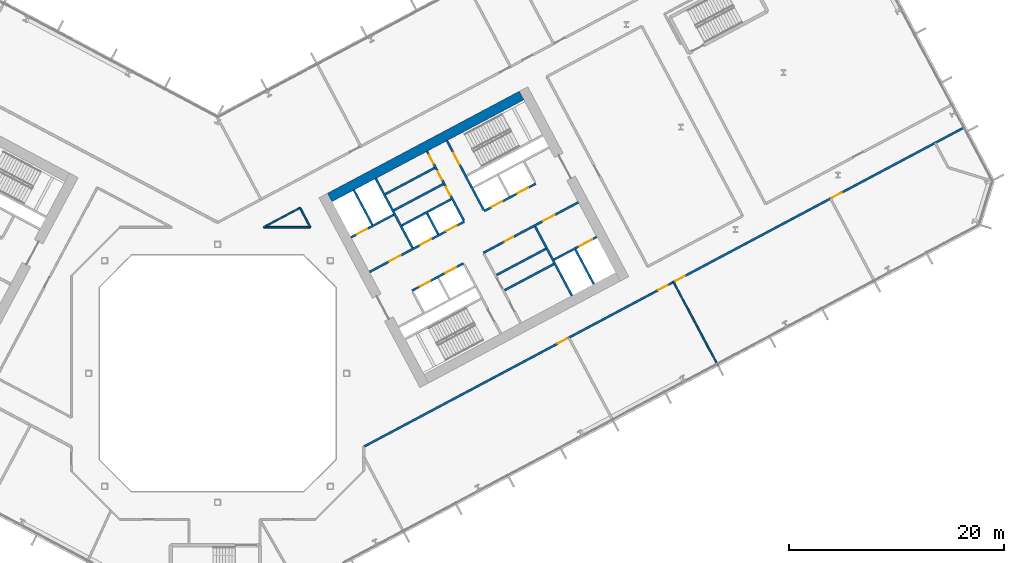
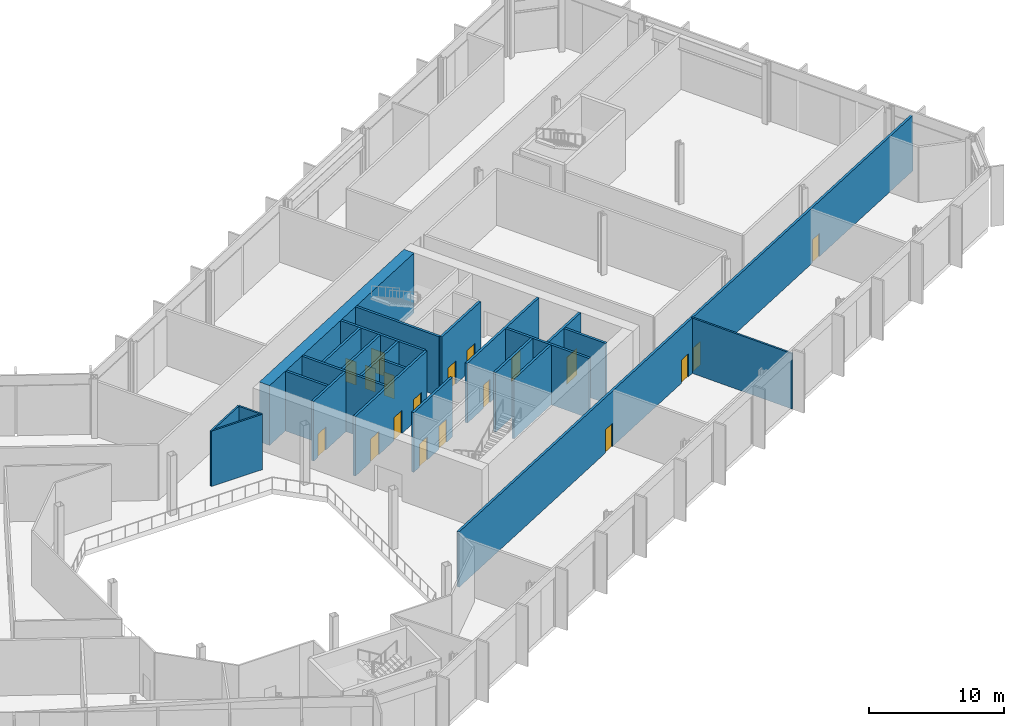
# One storey, part 16 of 32: 24 walls, 19 doors, 19 openings.
"""IFC4 building model written with IfcOpenShell, lengths in metres."""

import ifcopenshell
import ifcopenshell.guid

model = None  # the IFC model being written
_history = None  # IfcOwnerHistory: only IFC2X3 demands one
_inside = {}  # id of a spatial element -> (the spatial element, [elements in it])
_under = {}  # id of a project, library or spatial element -> (it, [spatial elements below it])
_declared = {}  # id of a project -> (the project, [libraries it declares])
_typed = {}  # id of a type object -> (the type object, [elements of that type])
_made_of = {}  # id of a material, layer set ... -> (it, [elements and type objects made of it])


def new_model(schema):
    """Start an empty IFC model of exactly this schema.

    Asked for "IFC4X3", IfcOpenShell would pick the latest addendum, in which some entities
    have other attributes; the version numbers below select the first issue.
    IFC2X3 requires an IfcOwnerHistory on every rooted entity: one is made here for all.
    """
    global model, _history
    if schema == "IFC4X3":
        model = ifcopenshell.file(schema_version=(4, 3, 0, 0))
    else:
        model = ifcopenshell.file(schema=schema)
    _inside.clear()
    _under.clear()
    _declared.clear()
    _typed.clear()
    _made_of.clear()
    _history = None
    if model.schema == "IFC2X3":
        org = make("IfcOrganization", Name="unknown")
        user = make(
            "IfcPersonAndOrganization",
            ThePerson=make("IfcPerson", FamilyName="unknown"),
            TheOrganization=org,
        )
        app = make(
            "IfcApplication",
            ApplicationDeveloper=org,
            Version="unknown",
            ApplicationFullName="unknown",
            ApplicationIdentifier="unknown",
        )
        _history = make(
            "IfcOwnerHistory",
            OwningUser=user,
            OwningApplication=app,
            ChangeAction="ADDED",
            CreationDate=0,
        )
    return model


def make(cls, **values):
    """One entity of the class cls with the attributes given. An attribute that is None is left unset."""
    return model.create_entity(
        cls, **{name: value for name, value in values.items() if value is not None}
    )


def rooted(cls, **values):
    """An entity with a GlobalId (a new one), such as an element, a storey or a relation."""
    return make(cls, GlobalId=ifcopenshell.guid.new(), OwnerHistory=_history, **values)


def si_unit(unit_type, name, prefix=None):
    """IfcSIUnit, for example si_unit("LENGTHUNIT", "METRE", prefix="MILLI")."""
    return make("IfcSIUnit", UnitType=unit_type, Prefix=prefix, Name=name)


def assignment(units):
    """IfcUnitAssignment: the units of a project."""
    return None if units is None else make("IfcUnitAssignment", Units=units)


def point(xyz):
    """IfcCartesianPoint."""
    return None if xyz is None else make("IfcCartesianPoint", Coordinates=xyz)


def direction(xyz):
    """IfcDirection."""
    return None if xyz is None else make("IfcDirection", DirectionRatios=xyz)


def frame(location, z_axis=None, x_axis=None):
    """IfcAxis2Placement3D, a coordinate frame: its origin and axes. An axis left out is left unset."""
    return make(
        "IfcAxis2Placement3D",
        Location=point(location),
        Axis=direction(z_axis),
        RefDirection=direction(x_axis),
    )


def frame_2d(location, x_axis=None):
    """IfcAxis2Placement2D, a coordinate frame in the plane: its origin and x axis."""
    return make(
        "IfcAxis2Placement2D", Location=point(location), RefDirection=direction(x_axis)
    )


def origin():
    """The frame at (0, 0, 0) with its axes left unset."""
    return frame((0.0, 0.0, 0.0))


def place(relative_to, where):
    """IfcLocalPlacement: puts the frame where relative to a parent placement (None: the world)."""
    return make(
        "IfcLocalPlacement", PlacementRelTo=relative_to, RelativePlacement=where
    )


def context(
    kind, dimensions, precision=None, world=None, true_north=None, identifier=None
):
    """IfcGeometricRepresentationContext, for example the 3D "Model" context."""
    return make(
        "IfcGeometricRepresentationContext",
        ContextIdentifier=identifier,
        ContextType=kind,
        CoordinateSpaceDimension=dimensions,
        Precision=precision,
        WorldCoordinateSystem=world,
        TrueNorth=true_north,
    )


def subcontext(parent, identifier, kind, view, scale=None):
    """IfcGeometricRepresentationSubContext, for example "Body" below "Model"."""
    return make(
        "IfcGeometricRepresentationSubContext",
        ContextIdentifier=identifier,
        ContextType=kind,
        ParentContext=parent,
        TargetScale=scale,
        TargetView=view,
    )


def project(units=None, contexts=None):
    """IfcProject with its units and contexts."""
    return rooted(
        "IfcProject",
        Name="project",
        RepresentationContexts=contexts,
        UnitsInContext=assignment(units),
    )


def spatial(cls, under=None, at=None, **own):
    """A site, building, storey or space (cls), placed at a placement, below another one or the project."""
    s = rooted(cls, ObjectPlacement=at, **own)
    if under is not None:
        _under.setdefault(under.id(), (under, []))[1].append(s)
    return s


def profile(cls, at=None, kind="AREA", **sizes):
    """A parametric profile (cls). Its sizes go by their IFC names, for example OverallWidth=200.0."""
    return make(cls, ProfileType=kind, Position=at, **sizes)


def rectangle(**sizes):
    """IfcRectangleProfileDef."""
    return profile("IfcRectangleProfileDef", **sizes)


def extrude(swept, where, along, depth):
    """IfcExtrudedAreaSolid: the profile swept, set in the frame where, extruded along a direction by depth."""
    return make(
        "IfcExtrudedAreaSolid",
        SweptArea=swept,
        Position=where,
        ExtrudedDirection=direction(along),
        Depth=depth,
    )


def shape(context_of_items, identifier, shape_type, items):
    """IfcShapeRepresentation: the items that make up one representation, for example the "Body"."""
    return make(
        "IfcShapeRepresentation",
        ContextOfItems=context_of_items,
        RepresentationIdentifier=identifier,
        RepresentationType=shape_type,
        Items=items,
    )


def material(Name=None, Category=None):
    """IfcMaterial."""
    return make("IfcMaterial", Name=Name, Category=Category)


def layer(
    of_material, thickness, ventilated=None, Name=None, Category=None, Priority=None
):
    """IfcMaterialLayer: one layer of a wall or slab, of a material (None: an air gap)."""
    return make(
        "IfcMaterialLayer",
        Material=of_material,
        LayerThickness=thickness,
        IsVentilated=ventilated,
        Name=Name,
        Category=Category,
        Priority=Priority,
    )


def layer_set(layers, Name=None):
    """IfcMaterialLayerSet."""
    return make("IfcMaterialLayerSet", MaterialLayers=layers, LayerSetName=Name)


def made_of(thing, what):
    """Note that an element or type object is made of a material, layer set ...; save() writes the relation."""
    if what is not None:
        _made_of.setdefault(what.id(), (what, []))[1].append(thing)
    return thing


def type_object(cls, material=None, **own):
    """A type object (cls), such as IfcWallType, which elements share."""
    return made_of(rooted(cls, **own), material)


def element(
    cls,
    number,
    at=None,
    inside=None,
    cuts=None,
    type_object=None,
    material=None,
    context=None,
    identifier="Body",
    shape_type=None,
    held_by="IfcProductDefinitionShape",
    body=None,
    shapes=None,
    **own,
):
    """One element of the class cls, such as IfcWall. Its Tag is "e" and its number.

    at: its placement. inside: the storey or other place that contains it. cuts: it is an
    opening in that element (IfcRelVoidsElement). A single representation is given by context,
    identifier, shape_type and body (its items); several are given by shapes. held_by: the class
    of the entity that holds the representations. save() writes the other relations.
    """
    e = rooted(cls, Tag="e%d" % number, ObjectPlacement=at, **own)
    if body is not None:
        shapes = [shape(context, identifier, shape_type, body)]
    if shapes is not None:
        e.Representation = make(held_by, Representations=shapes)
    if inside is not None:
        _inside.setdefault(inside.id(), (inside, []))[1].append(e)
    if cuts is not None:
        rooted(
            "IfcRelVoidsElement", RelatingBuildingElement=cuts, RelatedOpeningElement=e
        )
    if type_object is not None:
        _typed.setdefault(type_object.id(), (type_object, []))[1].append(e)
    return made_of(e, material)


def fill(opening, filler):
    """IfcRelFillsElement: the door or window that sits in an opening."""
    return rooted(
        "IfcRelFillsElement",
        RelatingOpeningElement=opening,
        RelatedBuildingElement=filler,
    )


def aggregate(whole, parts):
    """IfcRelAggregates: a whole, such as a stair, and the parts it consists of."""
    return rooted("IfcRelAggregates", RelatingObject=whole, RelatedObjects=parts)


def save(model, path):
    """Write the relations noted so far, then the file.

    IfcRelAggregates (storeys below a building ...), IfcRelContainedInSpatialStructure (elements
    in a storey), IfcRelDefinesByType, IfcRelAssociatesMaterial and IfcRelDeclares: one each for
    every whole, place, type object, material and project.
    """
    for whole, parts in _under.values():
        aggregate(whole, parts)
    for where, things in _inside.values():
        rooted(
            "IfcRelContainedInSpatialStructure",
            RelatedElements=things,
            RelatingStructure=where,
        )
    for kind, things in _typed.values():
        rooted("IfcRelDefinesByType", RelatedObjects=things, RelatingType=kind)
    for what, things in _made_of.values():
        rooted("IfcRelAssociatesMaterial", RelatedObjects=things, RelatingMaterial=what)
    for by, libraries in _declared.values():
        rooted("IfcRelDeclares", RelatingContext=by, RelatedDefinitions=libraries)
    model.write(path)


model = new_model("IFC4")

# Units and contexts
model_context = context("Model", 3, precision=1e-05, world=origin(), true_north=direction((0.0, 1.0)))
body_context = subcontext(model_context, "Body", "Model", "MODEL_VIEW")
ifc_project = project(units=[si_unit("LENGTHUNIT", "METRE"), si_unit("AREAUNIT", "SQUARE_METRE"), si_unit("VOLUMEUNIT", "CUBIC_METRE"), si_unit("PLANEANGLEUNIT", "RADIAN"), si_unit("MASSUNIT", "GRAM", prefix="KILO")], contexts=[model_context])

# Site, building, storey
site_placement = place(None, origin())
site = spatial("IfcSite", under=ifc_project, at=site_placement, CompositionType="ELEMENT")
building_placement = place(site_placement, origin())
building = spatial("IfcBuilding", under=site, at=building_placement, Name="Cormorant Relay Tower", CompositionType="ELEMENT")
storey_placement = place(building_placement, frame((0.0, 0.0, 60.800048828125)))
storey = spatial("IfcBuildingStorey", under=building, at=storey_placement, Name="L11", CompositionType="ELEMENT", Elevation=60.800048828125)

# Walls
ifc_material_1 = material(Name="Concrete 40 MPa", Category="concrete")
ifc_layer_1 = layer(ifc_material_1, 0.199951171875)
ifc_layer_set_1 = layer_set([ifc_layer_1], Name="Core internal wall 200")
wall_type_1 = type_object("IfcWallType", Name="Core internal wall 200", PredefinedType="SOLIDWALL", material=ifc_layer_set_1)
wall_1_placement = place(storey_placement, frame((20.522216796875, 12.950439453125, 0.0), z_axis=(0.0, 0.0, 1.0), x_axis=(-0.469401318492, 0.882984938828, 0.0)))
element("IfcWall", 1, at=wall_1_placement, inside=storey, type_object=wall_type_1, Name="L11 core B shaft and room wall", PredefinedType="SOLIDWALL", context=body_context, shape_type="SweptSolid", body=[
    extrude(rectangle(XDim=2.199951171875, YDim=0.199951171875, at=frame_2d((1.10009765625, 0.0))), origin(), (0.0, 0.0, 1.0), 5.39990234375),
])
for number, where, z_axis, x_axis, name in (
    (2, (26.692138671875, 7.73681640625, 0.0), (0.0, 0.0, 1.0), (0.882953967957, 0.469459572775, 0.0), "L11 core B shaft and room wall"),
    (3, (16.395751953125, 15.17333984375, 0.0), (0.0, 0.0, 1.0), (0.882934506056, 0.469496174655, 0.0), "L11 core B shaft and room wall"),
    (4, (15.59765625, 16.67431640625, 0.0), (0.0, 0.0, 1.0), (0.882934506056, 0.469496174655, 0.0), "L11 core B shaft and room wall"),
):
    element("IfcWall", number, at=place(storey_placement, frame(where, z_axis=z_axis, x_axis=x_axis)), inside=storey, type_object=wall_type_1, Name=name, PredefinedType="SOLIDWALL", context=body_context, shape_type="SweptSolid", body=[
        extrude(rectangle(XDim=5.199951171875, YDim=0.199951171875, at=frame_2d((2.60009765625, 0.0))), origin(), (0.0, 0.0, 1.0), 5.39990234375),
    ])
ifc_material_2 = material(Name="Concrete 50 MPa", Category="concrete")
ifc_layer_2 = layer(ifc_material_2, 0.199951171875)
ifc_layer_set_2 = layer_set([ifc_layer_2], Name="Core shaft wall 200")
wall_type_2 = type_object("IfcWallType", Name="Core shaft wall 200", PredefinedType="SHEAR", material=ifc_layer_set_2)
wall_2_placement = place(storey_placement, frame((14.39404296875, 13.825927734375, 0.0), z_axis=(0.0, 0.0, 1.0), x_axis=(-0.469494272526, 0.882935517501, 0.0)))
element("IfcWall", 5, at=wall_2_placement, inside=storey, type_object=wall_type_2, Name="L11 core B shaft wall", PredefinedType="SHEAR", context=body_context, shape_type="SweptSolid", body=[
    extrude(rectangle(XDim=3.64990234375, YDim=0.199951171875, at=frame_2d((1.824951171875, 0.0))), origin(), (0.0, 0.0, 1.0), 5.39990234375),
])
wall_3_placement = place(storey_placement, frame((18.138427734375, 11.682861328125, 0.0), z_axis=(0.0, 0.0, 1.0), x_axis=(-0.469480409012, 0.88294288918, 0.0)))
element("IfcWall", 6, at=wall_3_placement, inside=storey, type_object=wall_type_2, Name="L11 core B shaft wall", PredefinedType="SHEAR", context=body_context, shape_type="SweptSolid", body=[
    extrude(rectangle(XDim=7.300048828125, YDim=0.199951171875, at=frame_2d((3.64990234375, 0.0))), origin(), (0.0, 0.0, 1.0), 5.39990234375),
])

# Wall, openings, doors
wall_4_placement = place(storey_placement, frame((22.90625, 14.218017578125, 0.0), z_axis=(0.0, 0.0, 1.0), x_axis=(-0.469480409012, 0.88294288918, 0.0)))
wall_4 = element("IfcWall", 7, at=wall_4_placement, inside=storey, type_object=wall_type_2, Name="L11 core B shaft wall", PredefinedType="SHEAR", context=body_context, shape_type="SweptSolid", body=[
    extrude(rectangle(XDim=7.300048828125, YDim=0.199951171875, at=frame_2d((3.64990234375, 0.0))), origin(), (0.0, 0.0, 1.0), 5.39990234375),
])
opening_1_placement = place(wall_4_placement, frame((2.64990234375, 0.0, 0.0)))
opening_1 = element("IfcOpeningElement", 8, at=opening_1_placement, cuts=wall_4, Name="Opening CDD-104", PredefinedType="OPENING", context=body_context, shape_type="SweptSolid", body=[
    extrude(rectangle(XDim=0.89990234375, YDim=2.10009765625, at=frame_2d((0.449951171875, 1.050048828125))), frame((0.0, 0.10986328125, 0.0), z_axis=(0.0, -1.0, 0.0), x_axis=(1.0, 0.0, 0.0)), (0.0, 0.0, 1.0), 0.219970703125),
])
opening_2_placement = place(wall_4_placement, frame((4.300048828125, 0.0, 0.0)))
opening_2 = element("IfcOpeningElement", 9, at=opening_2_placement, cuts=wall_4, Name="Opening CDD-105", PredefinedType="OPENING", context=body_context, shape_type="SweptSolid", body=[
    extrude(rectangle(XDim=0.89990234375, YDim=2.10009765625, at=frame_2d((0.449951171875, 1.050048828125))), frame((0.0, 0.10986328125, 0.0), z_axis=(0.0, -1.0, 0.0), x_axis=(1.0, 0.0, 0.0)), (0.0, 0.0, 1.0), 0.219970703125),
])
opening_3_placement = place(wall_4_placement, frame((6.0, 0.0, 0.0)))
opening_3 = element("IfcOpeningElement", 10, at=opening_3_placement, cuts=wall_4, Name="Opening CDD-106", PredefinedType="OPENING", context=body_context, shape_type="SweptSolid", body=[
    extrude(rectangle(XDim=0.89990234375, YDim=2.10009765625, at=frame_2d((0.449951171875, 1.050048828125))), frame((0.0, 0.10986328125, 0.0), z_axis=(0.0, -1.0, 0.0), x_axis=(1.0, 0.0, 0.0)), (0.0, 0.0, 1.0), 0.219970703125),
])
ifc_material_3 = material(Name="Steel fire door", Category="steel")
door_type_1 = type_object("IfcDoorType", Name="Core room door 900x2100", OperationType="SINGLE_SWING_LEFT", PredefinedType="DOOR", material=ifc_material_3)
door_1_placement = place(opening_1_placement, origin())
door_1 = element("IfcDoor", 11, at=door_1_placement, inside=storey, type_object=door_type_1, Name="Core room door 900x2100", OperationType="SINGLE_SWING_RIGHT", OverallHeight=2.10009765625, OverallWidth=0.89990234375, PredefinedType="DOOR", context=body_context, shape_type="SweptSolid", body=[
    extrude(rectangle(XDim=0.89990234375, YDim=2.10009765625, at=frame_2d((0.449951171875, 1.050048828125))), frame((0.0, 0.02490234375, 0.0), z_axis=(0.0, -1.0, 0.0), x_axis=(1.0, 0.0, 0.0)), (0.0, 0.0, 1.0), 0.050048828125),
])
fill(opening_1, door_1)
door_2_placement = place(opening_2_placement, origin())
door_2 = element("IfcDoor", 12, at=door_2_placement, inside=storey, type_object=door_type_1, Name="Core room door 900x2100", OperationType="SINGLE_SWING_LEFT", OverallHeight=2.10009765625, OverallWidth=0.89990234375, PredefinedType="DOOR", context=body_context, shape_type="SweptSolid", body=[
    extrude(rectangle(XDim=0.89990234375, YDim=2.10009765625, at=frame_2d((0.449951171875, 1.050048828125))), frame((0.0, 0.02490234375, 0.0), z_axis=(0.0, -1.0, 0.0), x_axis=(1.0, 0.0, 0.0)), (0.0, 0.0, 1.0), 0.050048828125),
])
fill(opening_2, door_2)
door_3_placement = place(opening_3_placement, origin())
door_3 = element("IfcDoor", 13, at=door_3_placement, inside=storey, type_object=door_type_1, Name="Core room door 900x2100", OperationType="SINGLE_SWING_LEFT", OverallHeight=2.10009765625, OverallWidth=0.89990234375, PredefinedType="DOOR", context=body_context, shape_type="SweptSolid", body=[
    extrude(rectangle(XDim=0.89990234375, YDim=2.10009765625, at=frame_2d((0.449951171875, 1.050048828125))), frame((0.0, 0.02490234375, 0.0), z_axis=(0.0, -1.0, 0.0), x_axis=(1.0, 0.0, 0.0)), (0.0, 0.0, 1.0), 0.050048828125),
])
fill(opening_3, door_3)

# Wall, opening, door
wall_5_placement = place(storey_placement, frame((24.760498046875, 15.2041015625, 0.0), z_axis=(0.0, 0.0, 1.0), x_axis=(-0.469494272526, 0.882935517501, 0.0)))
wall_5 = element("IfcWall", 14, at=wall_5_placement, inside=storey, type_object=wall_type_2, Name="L11 core B shaft wall", PredefinedType="SHEAR", context=body_context, shape_type="SweptSolid", body=[
    extrude(rectangle(XDim=7.2998046875, YDim=0.199951171875, at=frame_2d((3.64990234375, 0.0))), origin(), (0.0, 0.0, 1.0), 5.39990234375),
])
opening_4_placement = place(wall_5_placement, frame((4.800048828125, 0.0, 0.0)))
opening_4 = element("IfcOpeningElement", 15, at=opening_4_placement, cuts=wall_5, Name="Opening CDB-022", PredefinedType="OPENING", context=body_context, shape_type="SweptSolid", body=[
    extrude(rectangle(XDim=1.199951171875, YDim=2.10009765625, at=frame_2d((0.60009765625, 1.050048828125))), frame((0.0, 0.10986328125, 0.0), z_axis=(0.0, -1.0, 0.0), x_axis=(1.0, 0.0, 0.0)), (0.0, 0.0, 1.0), 0.219970703125),
])
ifc_material_4 = material(Name="Steel fire door", Category="steel")
door_type_2 = type_object("IfcDoorType", Name="Core stair door 1200x2100", OperationType="SINGLE_SWING_LEFT", PredefinedType="DOOR", material=ifc_material_4)
door_4_placement = place(opening_4_placement, frame((1.199951171875, 0.0, 0.0), z_axis=(0.0, 0.0, 1.0), x_axis=(-1.0, 0.0, 0.0)))
door_4 = element("IfcDoor", 16, at=door_4_placement, inside=storey, type_object=door_type_2, Name="Core stair door 1200x2100", OperationType="SINGLE_SWING_RIGHT", OverallHeight=2.10009765625, OverallWidth=1.199951171875, PredefinedType="DOOR", context=body_context, shape_type="SweptSolid", body=[
    extrude(rectangle(XDim=1.199951171875, YDim=2.10009765625, at=frame_2d((0.60009765625, 1.050048828125))), frame((0.0, 0.02490234375, 0.0), z_axis=(0.0, -1.0, 0.0), x_axis=(1.0, 0.0, 0.0)), (0.0, 0.0, 1.0), 0.050048828125),
])
fill(opening_4, door_4)

# Walls
wall_6_placement = place(storey_placement, frame((32.968017578125, 7.222900390625, 0.0), z_axis=(0.0, 0.0, 1.0), x_axis=(-0.469480409012, 0.88294288918, 0.0)))
element("IfcWall", 17, at=wall_6_placement, inside=storey, type_object=wall_type_2, Name="L11 core B shaft wall", PredefinedType="SHEAR", context=body_context, shape_type="SweptSolid", body=[
    extrude(rectangle(XDim=7.300048828125, YDim=0.199951171875, at=frame_2d((3.64990234375, 0.0))), origin(), (0.0, 0.0, 1.0), 5.39990234375),
])
wall_7_placement = place(storey_placement, frame((34.998779296875, 8.302734375, 0.0), z_axis=(0.0, 0.0, 1.0), x_axis=(-0.4694665462, 0.882950260207, 0.0)))
element("IfcWall", 18, at=wall_7_placement, inside=storey, type_object=wall_type_2, Name="L11 core B shaft wall", PredefinedType="SHEAR", context=body_context, shape_type="SweptSolid", body=[
    extrude(rectangle(XDim=3.650146484375, YDim=0.199951171875, at=frame_2d((1.8251953125, 0.0))), origin(), (0.0, 0.0, 1.0), 5.39990234375),
])

# Wall, opening, door
wall_8_placement = place(storey_placement, frame((31.295654296875, 10.5810546875, 0.0), z_axis=(0.0, 0.0, 1.0), x_axis=(0.882960433586, 0.469447412093, 0.0)))
wall_8 = element("IfcWall", 19, at=wall_8_placement, inside=storey, type_object=wall_type_2, Name="L11 core B shaft wall", PredefinedType="SHEAR", context=body_context, shape_type="SweptSolid", body=[
    extrude(rectangle(XDim=4.5, YDim=0.199951171875, at=frame_2d((2.25, 0.0))), origin(), (0.0, 0.0, 1.0), 5.39990234375),
])
opening_5_placement = place(wall_8_placement, frame((2.64990234375, 0.0, 0.0)))
opening_5 = element("IfcOpeningElement", 20, at=opening_5_placement, cuts=wall_8, Name="Opening LD3-008", PredefinedType="OPENING", context=body_context, shape_type="SweptSolid", body=[
    extrude(rectangle(XDim=1.39990234375, YDim=2.39990234375, at=frame_2d((0.699951171875, 1.199951171875))), frame((0.0, 0.10986328125, 0.0), z_axis=(0.0, -1.0, 0.0), x_axis=(1.0, 0.0, 0.0)), (0.0, 0.0, 1.0), 0.219970703125),
])
ifc_material_5 = material(Name="Stainless steel 316", Category="steel")
door_type_3 = type_object("IfcDoorType", Name="Lift landing door 1400x2400", OperationType="DOUBLE_DOOR_SLIDING", PredefinedType="DOOR", material=ifc_material_5)
door_5_placement = place(opening_5_placement, origin())
door_5 = element("IfcDoor", 21, at=door_5_placement, inside=storey, type_object=door_type_3, Name="SV2 landing door", OperationType="DOUBLE_DOOR_SLIDING", OverallHeight=2.39990234375, OverallWidth=1.39990234375, PredefinedType="DOOR", context=body_context, shape_type="SweptSolid", body=[
    extrude(rectangle(XDim=1.39990234375, YDim=2.39990234375, at=frame_2d((0.699951171875, 1.199951171875))), frame((0.0, 0.02490234375, 0.0), z_axis=(0.0, -1.0, 0.0), x_axis=(1.0, 0.0, 0.0)), (0.0, 0.0, 1.0), 0.050048828125),
])
fill(opening_5, door_5)

# Wall
wall_9_placement = place(storey_placement, frame((25.94091796875, 9.149658203125, 0.0), z_axis=(0.0, 0.0, 1.0), x_axis=(0.882953967957, 0.469459572775, 0.0)))
element("IfcWall", 22, at=wall_9_placement, inside=storey, type_object=wall_type_2, Name="L11 core B shaft wall", PredefinedType="SHEAR", context=body_context, shape_type="SweptSolid", body=[
    extrude(rectangle(XDim=5.199951171875, YDim=0.199951171875, at=frame_2d((2.60009765625, 0.0))), origin(), (0.0, 0.0, 1.0), 5.39990234375),
])

# Wall, openings, doors
wall_10_placement = place(storey_placement, frame((18.103759765625, 7.70068359375, 0.0), z_axis=(0.0, 0.0, 1.0), x_axis=(0.882952937579, 0.469461510692, 0.0)))
wall_10 = element("IfcWall", 23, at=wall_10_placement, inside=storey, type_object=wall_type_2, Name="L11 core B shaft wall", PredefinedType="SHEAR", context=body_context, shape_type="SweptSolid", body=[
    extrude(rectangle(XDim=5.400146484375, YDim=0.199951171875, at=frame_2d((2.7001953125, 0.0))), origin(), (0.0, 0.0, 1.0), 5.39990234375),
])
opening_6_placement = place(wall_10_placement, frame((0.800048828125, 0.0, 0.0)))
opening_6 = element("IfcOpeningElement", 24, at=opening_6_placement, cuts=wall_10, Name="Opening LD1-024", PredefinedType="OPENING", context=body_context, shape_type="SweptSolid", body=[
    extrude(rectangle(XDim=1.10009765625, YDim=2.10009765625, at=frame_2d((0.550048828125, 1.050048828125))), frame((0.0, 0.10986328125, 0.0), z_axis=(0.0, -1.0, 0.0), x_axis=(1.0, 0.0, 0.0)), (0.0, 0.0, 1.0), 0.219970703125),
])
opening_7_placement = place(wall_10_placement, frame((3.5, 0.0, 0.0)))
opening_7 = element("IfcOpeningElement", 25, at=opening_7_placement, cuts=wall_10, Name="Opening LD1-025", PredefinedType="OPENING", context=body_context, shape_type="SweptSolid", body=[
    extrude(rectangle(XDim=1.10009765625, YDim=2.10009765625, at=frame_2d((0.550048828125, 1.050048828125))), frame((0.0, 0.10986328125, 0.0), z_axis=(0.0, -1.0, 0.0), x_axis=(1.0, 0.0, 0.0)), (0.0, 0.0, 1.0), 0.219970703125),
])
ifc_material_6 = material(Name="Stainless steel 316", Category="steel")
door_type_4 = type_object("IfcDoorType", Name="Lift landing door 1100x2100", OperationType="DOUBLE_DOOR_SLIDING", PredefinedType="DOOR", material=ifc_material_6)
door_6_placement = place(opening_6_placement, origin())
door_6 = element("IfcDoor", 26, at=door_6_placement, inside=storey, type_object=door_type_4, Name="LR5 landing door", OperationType="DOUBLE_DOOR_SLIDING", OverallHeight=2.10009765625, OverallWidth=1.10009765625, PredefinedType="DOOR", context=body_context, shape_type="SweptSolid", body=[
    extrude(rectangle(XDim=1.10009765625, YDim=2.10009765625, at=frame_2d((0.550048828125, 1.050048828125))), frame((0.0, 0.02490234375, 0.0), z_axis=(0.0, -1.0, 0.0), x_axis=(1.0, 0.0, 0.0)), (0.0, 0.0, 1.0), 0.050048828125),
])
fill(opening_6, door_6)
door_7_placement = place(opening_7_placement, origin())
door_7 = element("IfcDoor", 27, at=door_7_placement, inside=storey, type_object=door_type_4, Name="LR6 landing door", OperationType="DOUBLE_DOOR_SLIDING", OverallHeight=2.10009765625, OverallWidth=1.10009765625, PredefinedType="DOOR", context=body_context, shape_type="SweptSolid", body=[
    extrude(rectangle(XDim=1.10009765625, YDim=2.10009765625, at=frame_2d((0.550048828125, 1.050048828125))), frame((0.0, 0.02490234375, 0.0), z_axis=(0.0, -1.0, 0.0), x_axis=(1.0, 0.0, 0.0)), (0.0, 0.0, 1.0), 0.050048828125),
])
fill(opening_7, door_7)

wall_11_placement = place(storey_placement, frame((24.72607421875, 11.2216796875, 0.0), z_axis=(0.0, 0.0, 1.0), x_axis=(0.882940221191, 0.469485426614, 0.0)))
wall_11 = element("IfcWall", 28, at=wall_11_placement, inside=storey, type_object=wall_type_2, Name="L11 core B shaft wall", PredefinedType="SHEAR", context=body_context, shape_type="SweptSolid", body=[
    extrude(rectangle(XDim=10.0, YDim=0.199951171875, at=frame_2d((5.0, 0.0))), origin(), (0.0, 0.0, 1.0), 5.39990234375),
])
opening_8_placement = place(wall_11_placement, frame((6.300048828125, 0.0, 0.0)))
opening_8 = element("IfcOpeningElement", 29, at=opening_8_placement, cuts=wall_11, Name="Opening CDC-016", PredefinedType="OPENING", context=body_context, shape_type="SweptSolid", body=[
    extrude(rectangle(XDim=1.199951171875, YDim=2.10009765625, at=frame_2d((0.60009765625, 1.050048828125))), frame((0.0, 0.10986328125, 0.0), z_axis=(0.0, -1.0, 0.0), x_axis=(1.0, 0.0, 0.0)), (0.0, 0.0, 1.0), 0.219970703125),
])
opening_9_placement = place(wall_11_placement, frame((2.25, 0.0, 0.0)))
opening_9 = element("IfcOpeningElement", 30, at=opening_9_placement, cuts=wall_11, Name="Opening CDD-089", PredefinedType="OPENING", context=body_context, shape_type="SweptSolid", body=[
    extrude(rectangle(XDim=0.89990234375, YDim=2.10009765625, at=frame_2d((0.449951171875, 1.050048828125))), frame((0.0, 0.10986328125, 0.0), z_axis=(0.0, -1.0, 0.0), x_axis=(1.0, 0.0, 0.0)), (0.0, 0.0, 1.0), 0.219970703125),
])
ifc_material_7 = material(Name="Steel fire door", Category="steel")
door_type_5 = type_object("IfcDoorType", Name="Core lobby door 1200x2100", OperationType="SINGLE_SWING_LEFT", PredefinedType="DOOR", material=ifc_material_7)
door_8_placement = place(opening_8_placement, frame((1.199951171875, 0.0, 0.0), z_axis=(0.0, 0.0, 1.0), x_axis=(-1.0, 0.0, 0.0)))
door_8 = element("IfcDoor", 31, at=door_8_placement, inside=storey, type_object=door_type_5, Name="Core lobby door 1200x2100", OperationType="SINGLE_SWING_RIGHT", OverallHeight=2.10009765625, OverallWidth=1.199951171875, PredefinedType="DOOR", context=body_context, shape_type="SweptSolid", body=[
    extrude(rectangle(XDim=1.199951171875, YDim=2.10009765625, at=frame_2d((0.60009765625, 1.050048828125))), frame((0.0, 0.02490234375, 0.0), z_axis=(0.0, -1.0, 0.0), x_axis=(1.0, 0.0, 0.0)), (0.0, 0.0, 1.0), 0.050048828125),
])
fill(opening_8, door_8)
door_9_placement = place(opening_9_placement, frame((0.89990234375, 0.0, 0.0), z_axis=(0.0, 0.0, 1.0), x_axis=(-1.0, 0.0, 0.0)))
door_9 = element("IfcDoor", 32, at=door_9_placement, inside=storey, type_object=door_type_1, Name="Core room door 900x2100", OperationType="SINGLE_SWING_RIGHT", OverallHeight=2.10009765625, OverallWidth=0.89990234375, PredefinedType="DOOR", context=body_context, shape_type="SweptSolid", body=[
    extrude(rectangle(XDim=0.89990234375, YDim=2.10009765625, at=frame_2d((0.449951171875, 1.050048828125))), frame((0.0, 0.02490234375, 0.0), z_axis=(0.0, -1.0, 0.0), x_axis=(1.0, 0.0, 0.0)), (0.0, 0.0, 1.0), 0.050048828125),
])
fill(opening_9, door_9)

wall_12_placement = place(storey_placement, frame((14.123779296875, 9.43505859375, 0.0), z_axis=(0.0, 0.0, 1.0), x_axis=(0.882940221191, 0.469485426614, 0.0)))
wall_12 = element("IfcWall", 33, at=wall_12_placement, inside=storey, type_object=wall_type_2, Name="L11 core B shaft wall", PredefinedType="SHEAR", context=body_context, shape_type="SweptSolid", body=[
    extrude(rectangle(XDim=10.0, YDim=0.199951171875, at=frame_2d((5.0, 0.0))), origin(), (0.0, 0.0, 1.0), 5.39990234375),
])
opening_10_placement = place(wall_12_placement, frame((2.10009765625, 0.0, 0.0)))
opening_10 = element("IfcOpeningElement", 34, at=opening_10_placement, cuts=wall_12, Name="Opening CDC-015", PredefinedType="OPENING", context=body_context, shape_type="SweptSolid", body=[
    extrude(rectangle(XDim=1.199951171875, YDim=2.10009765625, at=frame_2d((0.60009765625, 1.050048828125))), frame((0.0, 0.10986328125, 0.0), z_axis=(0.0, -1.0, 0.0), x_axis=(1.0, 0.0, 0.0)), (0.0, 0.0, 1.0), 0.219970703125),
])
opening_11_placement = place(wall_12_placement, frame((5.39990234375, 0.0, 0.0)))
opening_11 = element("IfcOpeningElement", 35, at=opening_11_placement, cuts=wall_12, Name="Opening LD1-020", PredefinedType="OPENING", context=body_context, shape_type="SweptSolid", body=[
    extrude(rectangle(XDim=1.10009765625, YDim=2.10009765625, at=frame_2d((0.550048828125, 1.050048828125))), frame((0.0, 0.10986328125, 0.0), z_axis=(0.0, -1.0, 0.0), x_axis=(1.0, 0.0, 0.0)), (0.0, 0.0, 1.0), 0.219970703125),
])
opening_12_placement = place(wall_12_placement, frame((8.10009765625, 0.0, 0.0)))
opening_12 = element("IfcOpeningElement", 36, at=opening_12_placement, cuts=wall_12, Name="Opening LD1-021", PredefinedType="OPENING", context=body_context, shape_type="SweptSolid", body=[
    extrude(rectangle(XDim=1.10009765625, YDim=2.10009765625, at=frame_2d((0.550048828125, 1.050048828125))), frame((0.0, 0.10986328125, 0.0), z_axis=(0.0, -1.0, 0.0), x_axis=(1.0, 0.0, 0.0)), (0.0, 0.0, 1.0), 0.219970703125),
])
door_10_placement = place(opening_10_placement, origin())
door_10 = element("IfcDoor", 37, at=door_10_placement, inside=storey, type_object=door_type_5, Name="Core lobby door 1200x2100", OperationType="SINGLE_SWING_RIGHT", OverallHeight=2.10009765625, OverallWidth=1.199951171875, PredefinedType="DOOR", context=body_context, shape_type="SweptSolid", body=[
    extrude(rectangle(XDim=1.199951171875, YDim=2.10009765625, at=frame_2d((0.60009765625, 1.050048828125))), frame((0.0, 0.02490234375, 0.0), z_axis=(0.0, -1.0, 0.0), x_axis=(1.0, 0.0, 0.0)), (0.0, 0.0, 1.0), 0.050048828125),
])
fill(opening_10, door_10)
door_11_placement = place(opening_11_placement, origin())
door_11 = element("IfcDoor", 38, at=door_11_placement, inside=storey, type_object=door_type_4, Name="LR1 landing door", OperationType="DOUBLE_DOOR_SLIDING", OverallHeight=2.10009765625, OverallWidth=1.10009765625, PredefinedType="DOOR", context=body_context, shape_type="SweptSolid", body=[
    extrude(rectangle(XDim=1.10009765625, YDim=2.10009765625, at=frame_2d((0.550048828125, 1.050048828125))), frame((0.0, 0.02490234375, 0.0), z_axis=(0.0, -1.0, 0.0), x_axis=(1.0, 0.0, 0.0)), (0.0, 0.0, 1.0), 0.050048828125),
])
fill(opening_11, door_11)
door_12_placement = place(opening_12_placement, origin())
door_12 = element("IfcDoor", 39, at=door_12_placement, inside=storey, type_object=door_type_4, Name="LR2 landing door", OperationType="DOUBLE_DOOR_SLIDING", OverallHeight=2.10009765625, OverallWidth=1.10009765625, PredefinedType="DOOR", context=body_context, shape_type="SweptSolid", body=[
    extrude(rectangle(XDim=1.10009765625, YDim=2.10009765625, at=frame_2d((0.550048828125, 1.050048828125))), frame((0.0, 0.02490234375, 0.0), z_axis=(0.0, -1.0, 0.0), x_axis=(1.0, 0.0, 0.0)), (0.0, 0.0, 1.0), 0.050048828125),
])
fill(opening_12, door_12)

wall_13_placement = place(storey_placement, frame((24.807373046875, 15.11572265625, 0.0), z_axis=(0.0, 0.0, 1.0), x_axis=(0.882942972946, 0.469480251476, 0.0)))
wall_13 = element("IfcWall", 40, at=wall_13_placement, inside=storey, type_object=wall_type_2, Name="L11 core B shaft wall", PredefinedType="SHEAR", context=body_context, shape_type="SweptSolid", body=[
    extrude(rectangle(XDim=5.39990234375, YDim=0.199951171875, at=frame_2d((2.699951171875, 0.0))), origin(), (0.0, 0.0, 1.0), 5.39990234375),
])
opening_13_placement = place(wall_13_placement, frame((0.800048828125, 0.0, 0.0)))
opening_13 = element("IfcOpeningElement", 41, at=opening_13_placement, cuts=wall_13, Name="Opening LD1-022", PredefinedType="OPENING", context=body_context, shape_type="SweptSolid", body=[
    extrude(rectangle(XDim=1.10009765625, YDim=2.10009765625, at=frame_2d((0.550048828125, 1.050048828125))), frame((0.0, 0.10986328125, 0.0), z_axis=(0.0, -1.0, 0.0), x_axis=(1.0, 0.0, 0.0)), (0.0, 0.0, 1.0), 0.219970703125),
])
opening_14_placement = place(wall_13_placement, frame((3.5, 0.0, 0.0)))
opening_14 = element("IfcOpeningElement", 42, at=opening_14_placement, cuts=wall_13, Name="Opening LD1-023", PredefinedType="OPENING", context=body_context, shape_type="SweptSolid", body=[
    extrude(rectangle(XDim=1.10009765625, YDim=2.10009765625, at=frame_2d((0.550048828125, 1.050048828125))), frame((0.0, 0.10986328125, 0.0), z_axis=(0.0, -1.0, 0.0), x_axis=(1.0, 0.0, 0.0)), (0.0, 0.0, 1.0), 0.219970703125),
])
door_13_placement = place(opening_13_placement, origin())
door_13 = element("IfcDoor", 43, at=door_13_placement, inside=storey, type_object=door_type_4, Name="LR3 landing door", OperationType="DOUBLE_DOOR_SLIDING", OverallHeight=2.10009765625, OverallWidth=1.10009765625, PredefinedType="DOOR", context=body_context, shape_type="SweptSolid", body=[
    extrude(rectangle(XDim=1.10009765625, YDim=2.10009765625, at=frame_2d((0.550048828125, 1.050048828125))), frame((0.0, 0.02490234375, 0.0), z_axis=(0.0, -1.0, 0.0), x_axis=(1.0, 0.0, 0.0)), (0.0, 0.0, 1.0), 0.050048828125),
])
fill(opening_13, door_13)
door_14_placement = place(opening_14_placement, origin())
door_14 = element("IfcDoor", 44, at=door_14_placement, inside=storey, type_object=door_type_4, Name="LR4 landing door", OperationType="DOUBLE_DOOR_SLIDING", OverallHeight=2.10009765625, OverallWidth=1.10009765625, PredefinedType="DOOR", context=body_context, shape_type="SweptSolid", body=[
    extrude(rectangle(XDim=1.10009765625, YDim=2.10009765625, at=frame_2d((0.550048828125, 1.050048828125))), frame((0.0, 0.02490234375, 0.0), z_axis=(0.0, -1.0, 0.0), x_axis=(1.0, 0.0, 0.0)), (0.0, 0.0, 1.0), 0.050048828125),
])
fill(opening_14, door_14)

# Wall
wall_14_placement = place(storey_placement, frame((17.146728515625, 13.7607421875, 0.0), z_axis=(0.0, 0.0, 1.0), x_axis=(0.882964314875, 0.469440111896, 0.0)))
element("IfcWall", 45, at=wall_14_placement, inside=storey, type_object=wall_type_2, Name="L11 core B shaft wall", PredefinedType="SHEAR", context=body_context, shape_type="SweptSolid", body=[
    extrude(rectangle(XDim=5.2001953125, YDim=0.199951171875, at=frame_2d((2.60009765625, 0.0))), origin(), (0.0, 0.0, 1.0), 5.39990234375),
])

# Wall, opening, door
wall_15_placement = place(storey_placement, frame((12.41015625, 12.657958984375, 0.0), z_axis=(0.0, 0.0, 1.0), x_axis=(0.8829484765, 0.469469900894, 0.0)))
wall_15 = element("IfcWall", 46, at=wall_15_placement, inside=storey, type_object=wall_type_2, Name="L11 core B shaft wall", PredefinedType="SHEAR", context=body_context, shape_type="SweptSolid", body=[
    extrude(rectangle(XDim=4.499755859375, YDim=0.199951171875, at=frame_2d((2.25, 0.0))), origin(), (0.0, 0.0, 1.0), 5.39990234375),
])
opening_15_placement = place(wall_15_placement, frame((0.60009765625, 0.0, 0.0)))
opening_15 = element("IfcOpeningElement", 47, at=opening_15_placement, cuts=wall_15, Name="Opening LD1-026", PredefinedType="OPENING", context=body_context, shape_type="SweptSolid", body=[
    extrude(rectangle(XDim=1.10009765625, YDim=2.10009765625, at=frame_2d((0.550048828125, 1.050048828125))), frame((0.0, 0.10986328125, 0.0), z_axis=(0.0, -1.0, 0.0), x_axis=(1.0, 0.0, 0.0)), (0.0, 0.0, 1.0), 0.219970703125),
])
door_15_placement = place(opening_15_placement, origin())
door_15 = element("IfcDoor", 48, at=door_15_placement, inside=storey, type_object=door_type_4, Name="FF2 landing door", OperationType="DOUBLE_DOOR_SLIDING", OverallHeight=2.10009765625, OverallWidth=1.10009765625, PredefinedType="DOOR", context=body_context, shape_type="SweptSolid", body=[
    extrude(rectangle(XDim=1.10009765625, YDim=2.10009765625, at=frame_2d((0.550048828125, 1.050048828125))), frame((0.0, 0.02490234375, 0.0), z_axis=(0.0, -1.0, 0.0), x_axis=(1.0, 0.0, 0.0)), (0.0, 0.0, 1.0), 0.050048828125),
])
fill(opening_15, door_15)

# Wall
ifc_material_8 = material(Name="Concrete 70 MPa", Category="concrete")
ifc_layer_3 = layer(ifc_material_8, 0.89990234375)
ifc_layer_set_3 = layer_set([ifc_layer_3], Name="Core wall 900")
wall_type_3 = type_object("IfcWallType", Name="Core wall 900", PredefinedType="SHEAR", material=ifc_layer_set_3)
wall_16_placement = place(storey_placement, frame((10.4384765625, 16.3662109375, 0.0), z_axis=(0.0, 0.0, 1.0), x_axis=(0.88294509198, 0.469476266226, 0.0)))
element("IfcWall", 49, at=wall_16_placement, inside=storey, type_object=wall_type_3, Name="L11 core B wall", PredefinedType="SHEAR", context=body_context, shape_type="SweptSolid", body=[
    extrude(rectangle(XDim=20.199951171875, YDim=0.89990234375, at=frame_2d((10.10009765625, 0.0))), origin(), (0.0, 0.0, 1.0), 5.39990234375),
])

# Wall, openings, doors
ifc_material_9 = material(Name="Fire-rated gypsum board partition")
ifc_layer_4 = layer(ifc_material_9, 0.199951171875)
ifc_layer_set_4 = layer_set([ifc_layer_4], Name="Fire-rated gypsum partition 200")
wall_type_4 = type_object("IfcWallType", Name="Fire-rated gypsum partition 200", PredefinedType="PARTITIONING", material=ifc_layer_set_4)
wall_17_placement = place(storey_placement, frame((69.570068359375, 22.947998046875, 0.0), z_axis=(0.0, 0.0, 1.0), x_axis=(-0.882939582192, -0.469486628349, 0.0)))
wall_17 = element("IfcWall", 50, at=wall_17_placement, inside=storey, type_object=wall_type_4, Name="wall/L11/part/38", PredefinedType="PARTITIONING", context=body_context, shape_type="SweptSolid", body=[
    extrude(rectangle(XDim=63.390380859375, YDim=0.199951171875, at=frame_2d((31.6953125, 0.0))), origin(), (0.0, 0.0, 1.0), 5.0),
])
opening_16_placement = place(wall_17_placement, frame((41.970947265625, 0.0, 0.0)))
opening_16 = element("IfcOpeningElement", 51, at=opening_16_placement, cuts=wall_17, Name="Opening FD1-062", PredefinedType="OPENING", context=body_context, shape_type="SweptSolid", body=[
    extrude(rectangle(XDim=1.0, YDim=2.10009765625, at=frame_2d((0.5, 1.050048828125))), frame((0.0, 0.10986328125, 0.0), z_axis=(0.0, -1.0, 0.0), x_axis=(1.0, 0.0, 0.0)), (0.0, 0.0, 1.0), 0.219970703125),
])
opening_17_placement = place(wall_17_placement, frame((31.37109375, 0.0, 0.0)))
opening_17 = element("IfcOpeningElement", 52, at=opening_17_placement, cuts=wall_17, Name="Opening FD1-063", PredefinedType="OPENING", context=body_context, shape_type="SweptSolid", body=[
    extrude(rectangle(XDim=1.0, YDim=2.10009765625, at=frame_2d((0.5, 1.050048828125))), frame((0.0, 0.10986328125, 0.0), z_axis=(0.0, -1.0, 0.0), x_axis=(1.0, 0.0, 0.0)), (0.0, 0.0, 1.0), 0.219970703125),
])
opening_18_placement = place(wall_17_placement, frame((29.571044921875, 0.0, 0.0)))
opening_18 = element("IfcOpeningElement", 53, at=opening_18_placement, cuts=wall_17, Name="Opening FD1-064", PredefinedType="OPENING", context=body_context, shape_type="SweptSolid", body=[
    extrude(rectangle(XDim=1.0, YDim=2.10009765625, at=frame_2d((0.5, 1.050048828125))), frame((0.0, 0.10986328125, 0.0), z_axis=(0.0, -1.0, 0.0), x_axis=(1.0, 0.0, 0.0)), (0.0, 0.0, 1.0), 0.219970703125),
])
opening_19_placement = place(wall_17_placement, frame((13.071044921875, 0.0, 0.0)))
opening_19 = element("IfcOpeningElement", 54, at=opening_19_placement, cuts=wall_17, Name="Opening FD1-065", PredefinedType="OPENING", context=body_context, shape_type="SweptSolid", body=[
    extrude(rectangle(XDim=1.0, YDim=2.10009765625, at=frame_2d((0.5, 1.050048828125))), frame((0.0, 0.10986328125, 0.0), z_axis=(0.0, -1.0, 0.0), x_axis=(1.0, 0.0, 0.0)), (0.0, 0.0, 1.0), 0.219970703125),
])
ifc_material_10 = material(Name="Fire-rated steel door", Category="steel")
door_type_6 = type_object("IfcDoorType", Name="Fire door 1000 x 2100", OperationType="SINGLE_SWING_LEFT", PredefinedType="DOOR", material=ifc_material_10)
door_16_placement = place(opening_16_placement, origin())
door_16 = element("IfcDoor", 55, at=door_16_placement, inside=storey, type_object=door_type_6, Name="door/L11/13", OperationType="SINGLE_SWING_LEFT", OverallHeight=2.10009765625, OverallWidth=1.0, PredefinedType="DOOR", context=body_context, shape_type="SweptSolid", body=[
    extrude(rectangle(XDim=1.0, YDim=2.10009765625, at=frame_2d((0.5, 1.050048828125))), frame((0.0, 0.02490234375, 0.0), z_axis=(0.0, -1.0, 0.0), x_axis=(1.0, 0.0, 0.0)), (0.0, 0.0, 1.0), 0.050048828125),
])
fill(opening_16, door_16)
door_17_placement = place(opening_17_placement, origin())
door_17 = element("IfcDoor", 56, at=door_17_placement, inside=storey, type_object=door_type_6, Name="door/L11/14", OperationType="SINGLE_SWING_LEFT", OverallHeight=2.10009765625, OverallWidth=1.0, PredefinedType="DOOR", context=body_context, shape_type="SweptSolid", body=[
    extrude(rectangle(XDim=1.0, YDim=2.10009765625, at=frame_2d((0.5, 1.050048828125))), frame((0.0, 0.02490234375, 0.0), z_axis=(0.0, -1.0, 0.0), x_axis=(1.0, 0.0, 0.0)), (0.0, 0.0, 1.0), 0.050048828125),
])
fill(opening_17, door_17)
door_18_placement = place(opening_18_placement, origin())
door_18 = element("IfcDoor", 57, at=door_18_placement, inside=storey, type_object=door_type_6, Name="door/L11/15", OperationType="SINGLE_SWING_RIGHT", OverallHeight=2.10009765625, OverallWidth=1.0, PredefinedType="DOOR", context=body_context, shape_type="SweptSolid", body=[
    extrude(rectangle(XDim=1.0, YDim=2.10009765625, at=frame_2d((0.5, 1.050048828125))), frame((0.0, 0.02490234375, 0.0), z_axis=(0.0, -1.0, 0.0), x_axis=(1.0, 0.0, 0.0)), (0.0, 0.0, 1.0), 0.050048828125),
])
fill(opening_18, door_18)
door_19_placement = place(opening_19_placement, origin())
door_19 = element("IfcDoor", 58, at=door_19_placement, inside=storey, type_object=door_type_6, Name="door/L11/16", OperationType="SINGLE_SWING_RIGHT", OverallHeight=2.10009765625, OverallWidth=1.0, PredefinedType="DOOR", context=body_context, shape_type="SweptSolid", body=[
    extrude(rectangle(XDim=1.0, YDim=2.10009765625, at=frame_2d((0.5, 1.050048828125))), frame((0.0, 0.02490234375, 0.0), z_axis=(0.0, -1.0, 0.0), x_axis=(1.0, 0.0, 0.0)), (0.0, 0.0, 1.0), 0.050048828125),
])
fill(opening_19, door_19)

# Walls
ifc_material_11 = material(Name="Gypsum board partition")
ifc_layer_5 = layer(ifc_material_11, 0.14990234375)
ifc_layer_set_5 = layer_set([ifc_layer_5], Name="Gypsum board partition 150")
wall_type_5 = type_object("IfcWallType", Name="Gypsum board partition 150", PredefinedType="PARTITIONING", material=ifc_layer_set_5)
wall_18_placement = place(storey_placement, frame((42.410888671875, 8.506103515625, 0.0), z_axis=(0.0, 0.0, 1.0), x_axis=(0.469578463112, -0.882890744646, 0.0)))
element("IfcWall", 59, at=wall_18_placement, inside=storey, type_object=wall_type_5, Name="wall/L11/part/43", PredefinedType="PARTITIONING", context=body_context, shape_type="SweptSolid", body=[
    extrude(rectangle(XDim=8.799560546875, YDim=0.14990234375, at=frame_2d((4.39990234375, 0.0))), origin(), (0.0, 0.0, 1.0), 5.0),
])
wall_19_placement = place(storey_placement, frame((8.625, 13.60009765625, 0.0), z_axis=(0.0, 0.0, 1.0), x_axis=(-0.469420518513, 0.882974731688, 0.0)))
element("IfcWall", 60, at=wall_19_placement, inside=storey, type_object=wall_type_5, Name="wall/L11/part/64", PredefinedType="PARTITIONING", context=body_context, shape_type="SweptSolid", body=[
    extrude(rectangle(XDim=2.040771484375, YDim=0.14990234375, at=frame_2d((1.0205078125, 0.0))), origin(), (0.0, 0.0, 1.0), 5.0),
])
wall_20_placement = place(storey_placement, frame((7.6669921875, 15.402099609375, 0.0), z_axis=(0.0, 0.0, 1.0), x_axis=(-0.882994654303, -0.469383042378, 0.0)))
element("IfcWall", 61, at=wall_20_placement, inside=storey, type_object=wall_type_5, Name="wall/L11/part/65", PredefinedType="PARTITIONING", context=body_context, shape_type="SweptSolid", body=[
    extrude(rectangle(XDim=3.839111328125, YDim=0.14990234375, at=frame_2d((1.91943359375, 0.0))), origin(), (0.0, 0.0, 1.0), 5.0),
])
wall_21_placement = place(storey_placement, frame((4.277099609375, 13.60009765625, 0.0), z_axis=(0.0, 0.0, 1.0), x_axis=(1.0, 0.0, 0.0)))
element("IfcWall", 62, at=wall_21_placement, inside=storey, type_object=wall_type_5, Name="wall/L11/part/66", PredefinedType="PARTITIONING", context=body_context, shape_type="SweptSolid", body=[
    extrude(rectangle(XDim=4.347900390625, YDim=0.14990234375, at=frame_2d((2.173828125, 0.0))), origin(), (0.0, 0.0, 1.0), 5.0),
])

save(model, "model.ifc")
